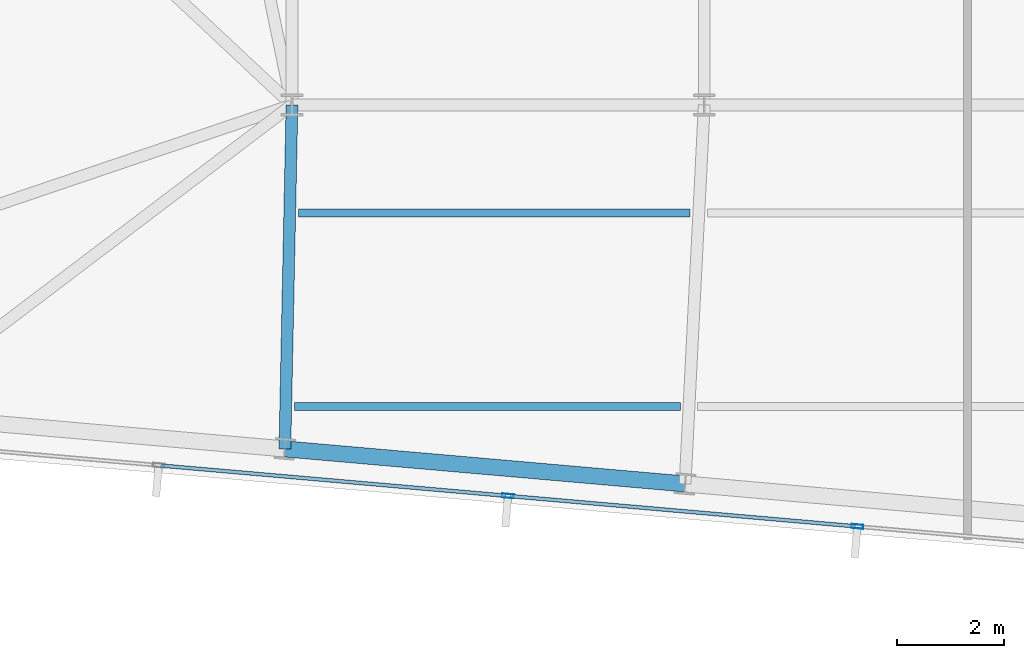
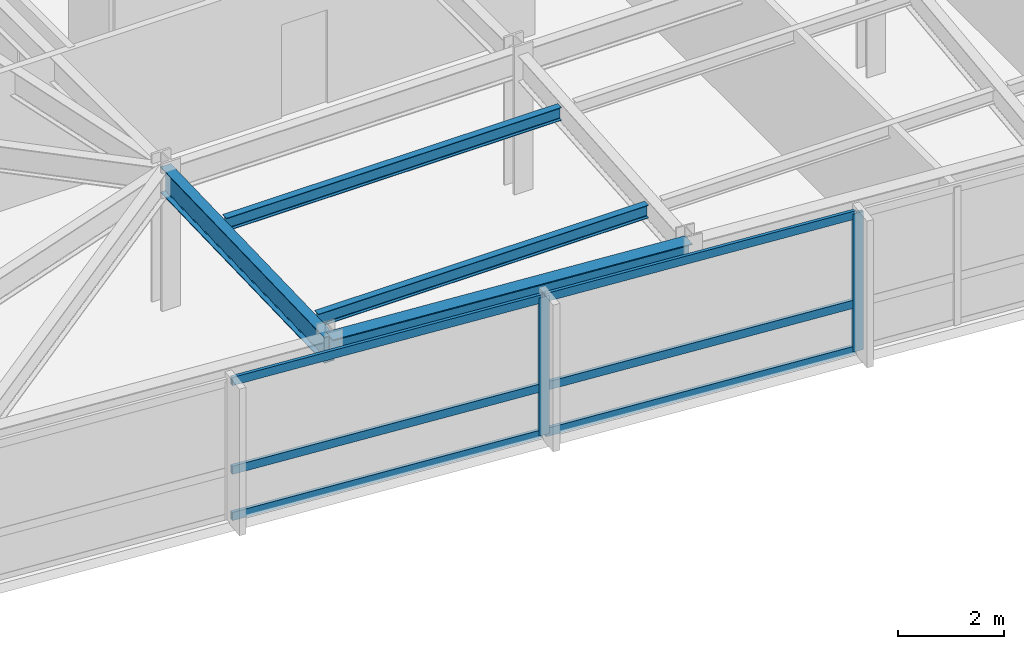
# One storey, part 4 of 24: 8 members, 4 beams, 1 element without a shape of its own.
"""IFC4 building model written with IfcOpenShell, lengths in metres."""

from ifc_helpers import new_model, si_unit, direction, frame, origin, origin_2d, place, context, subcontext, project, spatial, hollow_rectangle, i_section, extrude, material, material_profile, profile_set, type_object, element, aggregate, save


model = new_model("IFC4")

# Units and contexts
model_context = context("Model", 3, precision=1e-05, world=origin(), true_north=direction((0.0, 1.0)))
body_context = subcontext(model_context, "Body", "Model", "MODEL_VIEW")
ifc_project = project(units=[si_unit("LENGTHUNIT", "METRE"), si_unit("AREAUNIT", "SQUARE_METRE"), si_unit("VOLUMEUNIT", "CUBIC_METRE"), si_unit("PLANEANGLEUNIT", "RADIAN"), si_unit("MASSUNIT", "GRAM", prefix="KILO")], contexts=[model_context])

# Site, building, storey
site_placement = place(None, origin())
site = spatial("IfcSite", under=ifc_project, at=site_placement, CompositionType="ELEMENT")
building_placement = place(site_placement, origin())
building = spatial("IfcBuilding", under=site, at=building_placement, Name="Yelkora Congress Tower", CompositionType="ELEMENT")
storey_placement = place(building_placement, frame((0.0, 0.0, 296.5)))
storey = spatial("IfcBuildingStorey", under=building, at=storey_placement, Name="L83", CompositionType="ELEMENT", Elevation=296.5)

# Beams
ifc_material_1 = material(Name="Steel S355J2", Category="steel")
ifc_material_profile_1 = material_profile(ifc_material_1, i_section(OverallWidth=0.219970703125, OverallDepth=0.60009765625, WebThickness=0.011962890625, FlangeThickness=0.01904296875, FilletRadius=0.02392578125, at=origin_2d()), Name="IPE 600")
ifc_profile_set_1 = profile_set([ifc_material_profile_1], Name="Steel S355J2")
beam_type_1 = type_object("IfcBeamType", Name="BM-GIRD-IPE600", PredefinedType="BEAM", material=ifc_profile_set_1)
beam_1_placement = place(storey_placement, frame((22.90771484375, 18.793212890625, 2.8798828125), z_axis=(0.020649509667, 0.999786776143, 0.0), x_axis=(-0.999786776143, 0.020649509667, 0.0)))
element("IfcBeam", 1, at=beam_1_placement, inside=storey, type_object=beam_type_1, Name="L83 Primary Frame Girder S03", PredefinedType="BEAM", context=body_context, shape_type="SweptSolid", body=[
    extrude(i_section(OverallWidth=0.219970703125, OverallDepth=0.60009765625, WebThickness=0.011962890625, FlangeThickness=0.01904296875, FilletRadius=0.02392578125, at=origin_2d()), origin(), (0.0, 0.0, 1.0), 6.408203125),
])
ifc_material_profile_2 = material_profile(ifc_material_1, i_section(OverallWidth=0.14990234375, OverallDepth=0.300048828125, WebThickness=0.007080078125, FlangeThickness=0.0107421875, FilletRadius=0.014892578125, at=origin_2d()), Name="IPE 300")
ifc_profile_set_2 = profile_set([ifc_material_profile_2], Name="Steel S355J2")
beam_type_2 = type_object("IfcBeamType", Name="BM-JOIST-IPE300", PredefinedType="JOIST", material=ifc_profile_set_2)
beam_2_placement = place(storey_placement, frame((23.083984375, 19.58447265625, 3.030029296875), z_axis=(1.0, 0.0, 0.0), x_axis=(0.0, 1.0, 0.0)))
element("IfcBeam", 2, at=beam_2_placement, inside=storey, type_object=beam_type_2, Name="L83 Composite Floor Joist 1", PredefinedType="JOIST", context=body_context, shape_type="SweptSolid", body=[
    extrude(i_section(OverallWidth=0.14990234375, OverallDepth=0.300048828125, WebThickness=0.007080078125, FlangeThickness=0.0107421875, FilletRadius=0.014892578125, at=origin_2d()), origin(), (0.0, 0.0, 1.0), 7.191650390625),
])
beam_3_placement = place(storey_placement, frame((23.158447265625, 23.1845703125, 3.030029296875), z_axis=(1.0, 0.0, 0.0), x_axis=(0.0, 1.0, 0.0)))
element("IfcBeam", 3, at=beam_3_placement, inside=storey, type_object=beam_type_2, Name="L83 Composite Floor Joist 5", PredefinedType="JOIST", context=body_context, shape_type="SweptSolid", body=[
    extrude(i_section(OverallWidth=0.14990234375, OverallDepth=0.300048828125, WebThickness=0.007080078125, FlangeThickness=0.0107421875, FilletRadius=0.014892578125, at=origin_2d()), origin(), (0.0, 0.0, 1.0), 7.299560546875),
])
ifc_material_profile_3 = material_profile(ifc_material_1, i_section(OverallWidth=0.300048828125, OverallDepth=0.340087890625, WebThickness=0.011962890625, FlangeThickness=0.021484375, FilletRadius=0.027099609375, at=origin_2d()), Name="HEB 340")
ifc_profile_set_3 = profile_set([ifc_material_profile_3], Name="Steel S355J2")
beam_type_3 = type_object("IfcBeamType", Name="BM-SPAN-HEB340", PredefinedType="SPANDREL", material=ifc_profile_set_3)
beam_4_placement = place(storey_placement, frame((22.90771484375, 18.793212890625, 3.010009765625), z_axis=(0.99619601894, -0.087140644067, 0.0), x_axis=(0.087140644067, 0.99619601894, 0.0)))
element("IfcBeam", 4, at=beam_4_placement, inside=storey, type_object=beam_type_3, Name="L83 Perimeter Beam 3", PredefinedType="SPANDREL", context=body_context, shape_type="SweptSolid", body=[
    extrude(i_section(OverallWidth=0.300048828125, OverallDepth=0.340087890625, WebThickness=0.011962890625, FlangeThickness=0.021484375, FilletRadius=0.027099609375, at=origin_2d()), origin(), (0.0, 0.0, 1.0), 7.4833984375),
])

# Curtain wall, members
ifc_material_2 = material(Name="Anodised aluminium and insulated glass", Category="aluminium")
curtain_wall_type = type_object("IfcCurtainWallType", Name="CW-SYS-SKY", PredefinedType="NOTDEFINED", material=ifc_material_2)
curtain_wall_placement = place(storey_placement, origin())
curtain_wall = element("IfcCurtainWall", 5, at=curtain_wall_placement, inside=storey, type_object=curtain_wall_type, Name="L83 Unitised Curtain Wall 20", PredefinedType="NOTDEFINED")
ifc_material_3 = material(Name="Anodised aluminium 6063-T6", Category="aluminium")
ifc_material_profile_4 = material_profile(ifc_material_3, hollow_rectangle(XDim=0.074951171875, YDim=0.219970703125, WallThickness=0.0048828125, at=origin_2d()), Name="ALU 75x220x5")
ifc_profile_set_4 = profile_set([ifc_material_profile_4], Name="Anodised aluminium 6063-T6")
member_type_1 = type_object("IfcMemberType", Name="MEM-ML-SKY", PredefinedType="MULLION", material=ifc_profile_set_4)
member_1_placement = place(storey_placement, frame((33.571533203125, 17.348388671875, 0.0), z_axis=(0.0, 0.0, 1.0), x_axis=(-0.087156829793, -0.996194602987, 0.0)))
member_1 = element("IfcMember", 6, at=member_1_placement, type_object=member_type_1, Name="CW-SKY mullion 4", PredefinedType="MULLION", context=body_context, shape_type="SweptSolid", body=[
    extrude(hollow_rectangle(XDim=0.074951171875, YDim=0.219970703125, WallThickness=0.0048828125, at=origin_2d()), origin(), (0.0, 0.0, 1.0), 3.179931640625),
])
member_2_placement = place(storey_placement, frame((27.06494140625, 17.917724609375, 0.0), z_axis=(0.0, 0.0, 1.0), x_axis=(-0.087156829793, -0.996194602987, 0.0)))
member_2 = element("IfcMember", 7, at=member_2_placement, type_object=member_type_1, Name="CW-SKY mullion 5", PredefinedType="MULLION", context=body_context, shape_type="SweptSolid", body=[
    extrude(hollow_rectangle(XDim=0.074951171875, YDim=0.219970703125, WallThickness=0.0048828125, at=origin_2d()), origin(), (0.0, 0.0, 1.0), 3.179931640625),
])
ifc_material_profile_5 = material_profile(ifc_material_3, hollow_rectangle(XDim=0.070068359375, YDim=0.18994140625, WallThickness=0.00390625, at=origin_2d()), Name="ALU 70x190x4")
ifc_profile_set_5 = profile_set([ifc_material_profile_5], Name="Anodised aluminium 6063-T6")
member_type_2 = type_object("IfcMemberType", Name="MEM-TR-SKY", PredefinedType="USERDEFINED", material=ifc_profile_set_5)
member_3_placement = place(storey_placement, frame((33.5341796875, 17.351806640625, 0.034912109375), z_axis=(-0.996194333134, 0.087159914135, 0.0), x_axis=(-0.087159914135, -0.996194333134, 0.0)))
member_3 = element("IfcMember", 8, at=member_3_placement, type_object=member_type_2, Name="CW-SKY transom 4.1", ObjectType="TRANSOM", PredefinedType="USERDEFINED", context=body_context, shape_type="SweptSolid", body=[
    extrude(hollow_rectangle(XDim=0.070068359375, YDim=0.18994140625, WallThickness=0.00390625, at=origin_2d()), origin(), (0.0, 0.0, 1.0), 6.45654296875),
])
member_4_placement = place(storey_placement, frame((33.5341796875, 17.351806640625, 1.10009765625), z_axis=(-0.996194333134, 0.087159914135, 0.0), x_axis=(-0.087159914135, -0.996194333134, 0.0)))
member_4 = element("IfcMember", 9, at=member_4_placement, type_object=member_type_2, Name="CW-SKY transom 4.2", ObjectType="TRANSOM", PredefinedType="USERDEFINED", context=body_context, shape_type="SweptSolid", body=[
    extrude(hollow_rectangle(XDim=0.070068359375, YDim=0.18994140625, WallThickness=0.00390625, at=origin_2d()), origin(), (0.0, 0.0, 1.0), 6.45654296875),
])
member_5_placement = place(storey_placement, frame((33.5341796875, 17.351806640625, 3.14501953125), z_axis=(-0.996194333134, 0.087159914135, 0.0), x_axis=(-0.087159914135, -0.996194333134, 0.0)))
member_5 = element("IfcMember", 10, at=member_5_placement, type_object=member_type_2, Name="CW-SKY transom 4.3", ObjectType="TRANSOM", PredefinedType="USERDEFINED", context=body_context, shape_type="SweptSolid", body=[
    extrude(hollow_rectangle(XDim=0.070068359375, YDim=0.18994140625, WallThickness=0.00390625, at=origin_2d()), origin(), (0.0, 0.0, 1.0), 6.45654296875),
])
member_6_placement = place(storey_placement, frame((27.027587890625, 17.9208984375, 0.034912109375), z_axis=(-0.996194333134, 0.087159914135, 0.0), x_axis=(-0.087159914135, -0.996194333134, 0.0)))
member_6 = element("IfcMember", 11, at=member_6_placement, type_object=member_type_2, Name="CW-SKY transom 5.1", ObjectType="TRANSOM", PredefinedType="USERDEFINED", context=body_context, shape_type="SweptSolid", body=[
    extrude(hollow_rectangle(XDim=0.070068359375, YDim=0.18994140625, WallThickness=0.00390625, at=origin_2d()), origin(), (0.0, 0.0, 1.0), 6.45654296875),
])
member_7_placement = place(storey_placement, frame((27.027587890625, 17.9208984375, 1.10009765625), z_axis=(-0.996194333134, 0.087159914135, 0.0), x_axis=(-0.087159914135, -0.996194333134, 0.0)))
member_7 = element("IfcMember", 12, at=member_7_placement, type_object=member_type_2, Name="CW-SKY transom 5.2", ObjectType="TRANSOM", PredefinedType="USERDEFINED", context=body_context, shape_type="SweptSolid", body=[
    extrude(hollow_rectangle(XDim=0.070068359375, YDim=0.18994140625, WallThickness=0.00390625, at=origin_2d()), origin(), (0.0, 0.0, 1.0), 6.45654296875),
])
member_8_placement = place(storey_placement, frame((27.027587890625, 17.9208984375, 3.14501953125), z_axis=(-0.996194333134, 0.087159914135, 0.0), x_axis=(-0.087159914135, -0.996194333134, 0.0)))
member_8 = element("IfcMember", 13, at=member_8_placement, type_object=member_type_2, Name="CW-SKY transom 5.3", ObjectType="TRANSOM", PredefinedType="USERDEFINED", context=body_context, shape_type="SweptSolid", body=[
    extrude(hollow_rectangle(XDim=0.070068359375, YDim=0.18994140625, WallThickness=0.00390625, at=origin_2d()), origin(), (0.0, 0.0, 1.0), 6.45654296875),
])
aggregate(curtain_wall, [member_1, member_2, member_3, member_4, member_5, member_6, member_7, member_8])

save(model, "model.ifc")
